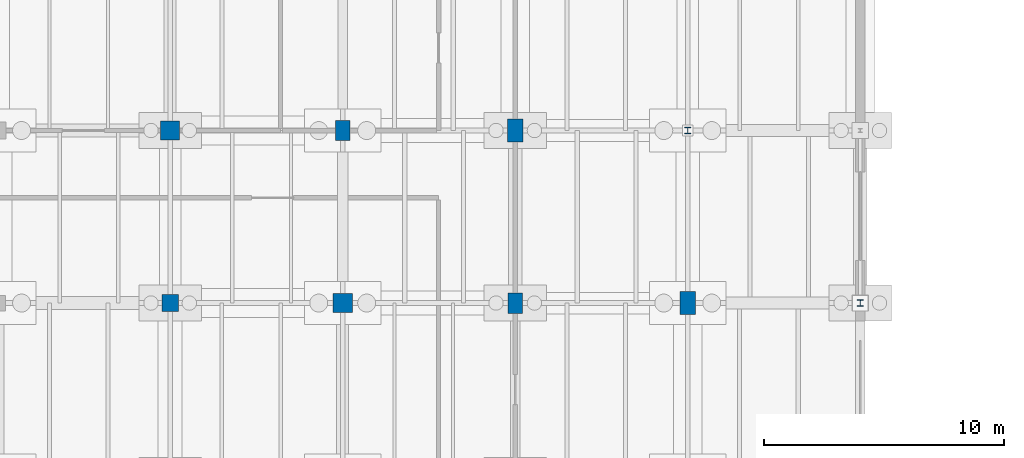
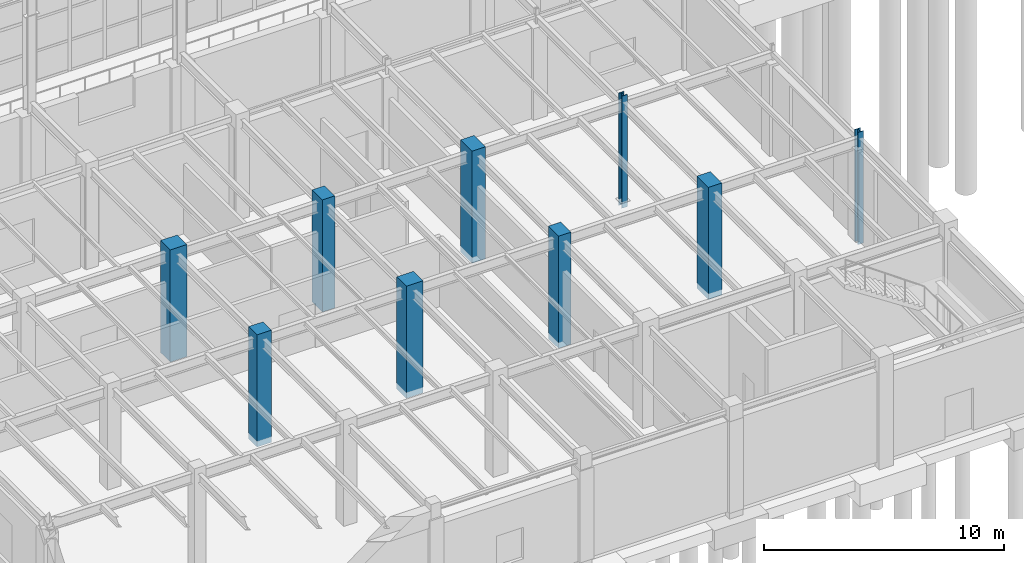
# One storey, part 31 of 293: 9 columns.
"""IFC4 building model written with IfcOpenShell, lengths in metres."""

from ifc_helpers import new_model, si_unit, direction, frame, origin, origin_2d, place, context, subcontext, project, spatial, rectangle, i_section, extrude, material, material_profile, profile_set, type_object, element, save


model = new_model("IFC4")

# Units and contexts
model_context = context("Model", 3, precision=1e-05, world=origin(), true_north=direction((0.0, 1.0)))
body_context = subcontext(model_context, "Body", "Model", "MODEL_VIEW")
ifc_project = project(units=[si_unit("LENGTHUNIT", "METRE"), si_unit("AREAUNIT", "SQUARE_METRE"), si_unit("VOLUMEUNIT", "CUBIC_METRE"), si_unit("PLANEANGLEUNIT", "RADIAN"), si_unit("MASSUNIT", "GRAM", prefix="KILO")], contexts=[model_context])

# Site, building, storey
site_placement = place(None, origin())
site = spatial("IfcSite", under=ifc_project, at=site_placement, CompositionType="ELEMENT")
building_placement = place(site_placement, origin())
building = spatial("IfcBuilding", under=site, at=building_placement, Name="Kemerveld Promenade Tramway Depot", CompositionType="ELEMENT")
storey_placement = place(building_placement, origin())
storey = spatial("IfcBuildingStorey", under=building, at=storey_placement, Name="L00", CompositionType="ELEMENT", Elevation=0.0)

# Columns
ifc_material_1 = material(Name="Concrete C40/50", Category="concrete")
ifc_material_profile_1 = material_profile(ifc_material_1, rectangle(XDim=0.800048828125, YDim=0.800048828125, at=origin_2d()), Name="RC-COL-800x800")
ifc_profile_set_1 = profile_set([ifc_material_profile_1], Name="Concrete C40/50")
column_type_1 = type_object("IfcColumnType", Name="COL-RC10", PredefinedType="COLUMN", material=ifc_profile_set_1)
for number, where, z_axis, x_axis, name in (
    (1, (129.60009765625, 72.0, -0.300048828125), (0.0, 0.0, 1.0), (1.0, 0.0, 0.0), "COL-L00-19-L"),
    (2, (136.800048828125, 64.800048828125, -0.300048828125), (0.0, 0.0, 1.0), (1.0, 0.0, 0.0), "COL-L00-20-K"),
):
    element("IfcColumn", number, at=place(storey_placement, frame(where, z_axis=z_axis, x_axis=x_axis)), inside=storey, type_object=column_type_1, Name=name, PredefinedType="COLUMN", context=body_context, shape_type="SweptSolid", body=[
        extrude(rectangle(XDim=0.800048828125, YDim=0.800048828125, at=origin_2d()), origin(), (0.0, 0.0, 1.0), 5.699951171875),
    ])
ifc_material_profile_2 = material_profile(ifc_material_1, rectangle(XDim=0.60009765625, YDim=0.85009765625, at=origin_2d()), Name="RC-PIER-850x600")
ifc_profile_set_2 = profile_set([ifc_material_profile_2], Name="Concrete C40/50")
column_type_2 = type_object("IfcColumnType", Name="COL-RC11", PredefinedType="COLUMN", material=ifc_profile_set_2)
for number, where, z_axis, x_axis, name in (
    (3, (136.800048828125, 72.0, -0.300048828125), (0.0, 0.0, 1.0), (1.0, 0.0, 0.0), "COL-L00-20-L"),
    (4, (144.0, 64.800048828125, -0.300048828125), (0.0, 0.0, 1.0), (1.0, 0.0, 0.0), "COL-L00-21-K"),
):
    element("IfcColumn", number, at=place(storey_placement, frame(where, z_axis=z_axis, x_axis=x_axis)), inside=storey, type_object=column_type_2, Name=name, PredefinedType="COLUMN", context=body_context, shape_type="SweptSolid", body=[
        extrude(rectangle(XDim=0.60009765625, YDim=0.85009765625, at=origin_2d()), origin(), (0.0, 0.0, 1.0), 5.699951171875),
    ])
ifc_material_profile_3 = material_profile(ifc_material_1, rectangle(XDim=0.64990234375, YDim=0.949951171875, at=origin_2d()), Name="RC-PIER-950x650")
ifc_profile_set_3 = profile_set([ifc_material_profile_3], Name="Concrete C40/50")
column_type_3 = type_object("IfcColumnType", Name="COL-RC12", PredefinedType="COLUMN", material=ifc_profile_set_3)
for number, where, z_axis, x_axis, name in (
    (5, (144.0, 72.0, -0.300048828125), (0.0, 0.0, 1.0), (1.0, 0.0, 0.0), "COL-L00-21-L"),
    (6, (151.199951171875, 64.800048828125, -0.300048828125), (0.0, 0.0, 1.0), (1.0, 0.0, 0.0), "COL-L00-22-K"),
):
    element("IfcColumn", number, at=place(storey_placement, frame(where, z_axis=z_axis, x_axis=x_axis)), inside=storey, type_object=column_type_3, Name=name, PredefinedType="COLUMN", context=body_context, shape_type="SweptSolid", body=[
        extrude(rectangle(XDim=0.64990234375, YDim=0.949951171875, at=origin_2d()), origin(), (0.0, 0.0, 1.0), 5.699951171875),
    ])
ifc_material_profile_4 = material_profile(ifc_material_1, rectangle(XDim=0.699951171875, YDim=0.699951171875, at=origin_2d()), Name="RC-COL-700x700")
ifc_profile_set_4 = profile_set([ifc_material_profile_4], Name="Concrete C40/50")
column_type_4 = type_object("IfcColumnType", Name="COL-RC9", PredefinedType="COLUMN", material=ifc_profile_set_4)
column_placement = place(storey_placement, frame((129.60009765625, 64.800048828125, -0.300048828125), z_axis=(0.0, 0.0, 1.0), x_axis=(1.0, 0.0, 0.0)))
element("IfcColumn", 7, at=column_placement, inside=storey, type_object=column_type_4, Name="COL-L00-19-K", PredefinedType="COLUMN", context=body_context, shape_type="SweptSolid", body=[
    extrude(rectangle(XDim=0.699951171875, YDim=0.699951171875, at=origin_2d()), origin(), (0.0, 0.0, 1.0), 5.699951171875),
])
ifc_material_2 = material(Name="Steel S355", Category="steel")
ifc_material_profile_5 = material_profile(ifc_material_2, i_section(OverallWidth=0.26123046875, OverallDepth=0.2763671875, WebThickness=0.015380859375, FlangeThickness=0.025390625, FilletRadius=0.0126953125, at=origin_2d()), Name="254x254x132 UC")
ifc_profile_set_5 = profile_set([ifc_material_profile_5], Name="Steel S355")
column_type_5 = type_object("IfcColumnType", Name="COL-S07", PredefinedType="COLUMN", material=ifc_profile_set_5)
for number, where, z_axis, x_axis, name in (
    (8, (151.199951171875, 72.0, -0.300048828125), (0.0, 0.0, 1.0), (1.0, 0.0, 0.0), "COL-L00-22-L"),
    (9, (158.39990234375, 64.800048828125, -0.300048828125), (0.0, 0.0, 1.0), (1.0, 0.0, 0.0), "COL-L00-23-K"),
):
    element("IfcColumn", number, at=place(storey_placement, frame(where, z_axis=z_axis, x_axis=x_axis)), inside=storey, type_object=column_type_5, Name=name, PredefinedType="COLUMN", context=body_context, shape_type="SweptSolid", body=[
        extrude(i_section(OverallWidth=0.26123046875, OverallDepth=0.2763671875, WebThickness=0.015380859375, FlangeThickness=0.025390625, FilletRadius=0.0126953125, at=origin_2d()), origin(), (0.0, 0.0, 1.0), 5.699951171875),
    ])

save(model, "model.ifc")
